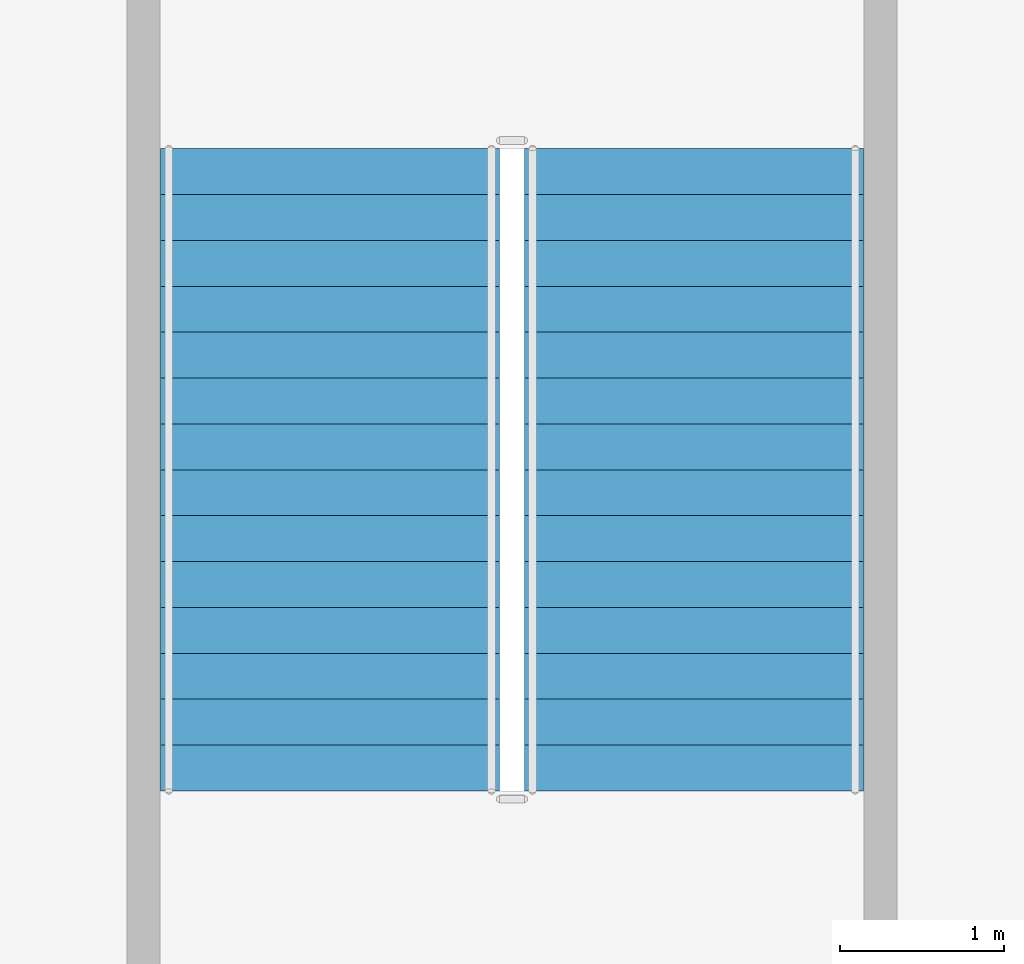
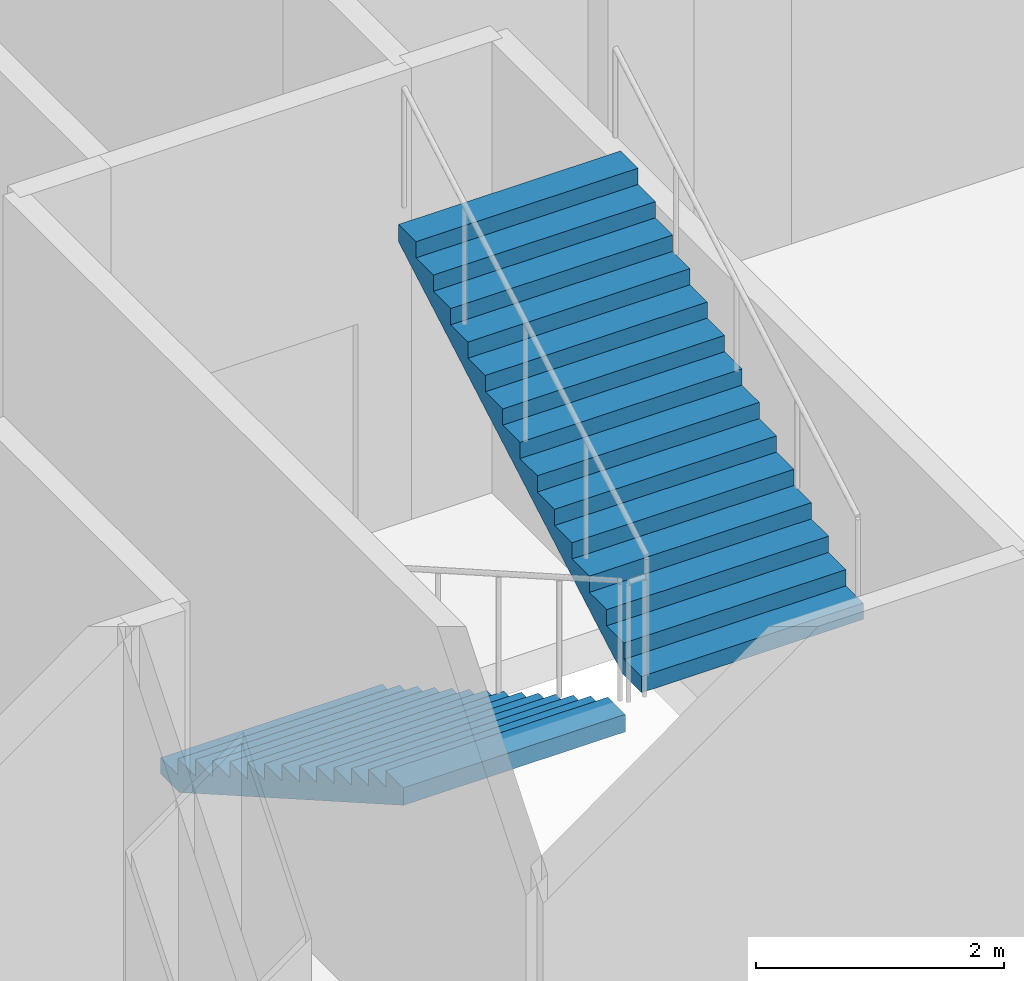
# One storey, part 14 of 23: 2 stair flights, 1 element without a shape of its own.
"""IFC4 building model written with IfcOpenShell, lengths in metres."""

from ifc_helpers import new_model, si_unit, direction, frame, origin, place, context, subcontext, project, spatial, polygons, material, type_object, element, aggregate, save


model = new_model("IFC4")

# Units and contexts
model_context = context("Model", 3, precision=1e-05, world=origin(), true_north=direction((0.0, 1.0)))
body_context = subcontext(model_context, "Body", "Model", "MODEL_VIEW")
ifc_project = project(units=[si_unit("LENGTHUNIT", "METRE"), si_unit("AREAUNIT", "SQUARE_METRE"), si_unit("VOLUMEUNIT", "CUBIC_METRE"), si_unit("PLANEANGLEUNIT", "RADIAN"), si_unit("MASSUNIT", "GRAM", prefix="KILO")], contexts=[model_context])

# Site, building, storey
site_placement = place(None, origin())
site = spatial("IfcSite", under=ifc_project, at=site_placement, CompositionType="ELEMENT")
building_placement = place(site_placement, origin())
building = spatial("IfcBuilding", under=site, at=building_placement, Name="Caravel Reach Hotel and Residences", CompositionType="ELEMENT")
storey_placement = place(building_placement, frame((0.0, 0.0, 24.0)))
storey = spatial("IfcBuildingStorey", under=building, at=storey_placement, Name="L04", CompositionType="ELEMENT", Elevation=24.0)

# Stair, stair flights
ifc_material_1 = material(Name="Concrete C40", Category="concrete")
stair_type = type_object("IfcStairType", Name="Core stair", PredefinedType="HALF_TURN_STAIR", material=ifc_material_1)
stair_placement = place(storey_placement, origin())
stair = element("IfcStair", 1, at=stair_placement, inside=storey, type_object=stair_type, Name="L04 Exit stair P1", PredefinedType="HALF_TURN_STAIR")
ifc_material_2 = material(Name="Concrete C40", Category="concrete")
stair_flight_type = type_object("IfcStairFlightType", Name="Core stair flight", PredefinedType="STRAIGHT", material=ifc_material_2)
stair_flight_1_placement = place(storey_placement, frame((7.889892578125, 41.010009765625, 0.0), z_axis=(0.0, 0.0, 1.0), x_axis=(0.0, -1.0, 0.0)))
stair_flight_1 = element("IfcStairFlight", 2, at=stair_flight_1_placement, type_object=stair_flight_type, Name="ST-P1 flight 1", NumberOfRisers=15, NumberOfTreads=14, PredefinedType="STRAIGHT", RiserHeight=0.16, TreadLength=0.28, context=body_context, shape_type="Tessellation", body=[
    polygons([(0.30213783309663755, 1.0350341796875, 0.0), (0.30213783309663755, 0.6900227864583333, 0.0), (0.30213783309663755, 0.34501139322916663, 0.0), (0.30213783309663755, 0.0, 0.0), (0.30213783309663755, -0.34501139322916674, 0.0), (0.30213783309663755, -0.6900227864583333, 0.0), (0.30213783309663755, -1.0350341796875, 0.0), (3.9210000000000003, 1.0350341796875, 2.0673498096590643), (3.9210000000000003, 0.6900227864583333, 2.0673498096590643), (3.9210000000000003, 0.34501139322916663, 2.0673498096590643), (3.9210000000000003, 0.0, 2.0673498096590643), (3.9210000000000003, -0.34501139322916674, 2.0673498096590643), (3.9210000000000003, -0.6900227864583333, 2.0673498096590643), (3.9210000000000003, -1.0350341796875, 2.0673498096590643), (3.9210000000000003, 1.0350341796875, 2.24), (3.9210000000000003, 0.6900227864583333, 2.24), (3.9210000000000003, 0.34501139322916663, 2.24), (3.9210000000000003, 0.0, 2.24), (3.9210000000000003, -0.34501139322916674, 2.24), (3.9210000000000003, -0.6900227864583333, 2.24), (3.9210000000000003, -1.0350341796875, 2.24), (3.6400000000000006, 1.0350341796875, 2.24), (3.6400000000000006, 0.6900227864583333, 2.24), (3.6400000000000006, 0.34501139322916663, 2.24), (3.6400000000000006, 0.0, 2.24), (3.6400000000000006, -0.34501139322916674, 2.24), (3.6400000000000006, -0.6900227864583333, 2.24), (3.6400000000000006, -1.0350341796875, 2.24), (3.6400000000000006, 1.0350341796875, 2.08), (3.6400000000000006, 0.6900227864583333, 2.08), (3.6400000000000006, 0.34501139322916663, 2.08), (3.6400000000000006, 0.0, 2.08), (3.6400000000000006, -0.34501139322916674, 2.08), (3.6400000000000006, -0.6900227864583333, 2.08), (3.6400000000000006, -1.0350341796875, 2.08), (3.3600000000000003, 1.0350341796875, 2.08), (3.3600000000000003, 0.6900227864583333, 2.08), (3.3600000000000003, 0.34501139322916663, 2.08), (3.3600000000000003, 0.0, 2.08), (3.3600000000000003, -0.34501139322916674, 2.08), (3.3600000000000003, -0.6900227864583333, 2.08), (3.3600000000000003, -1.0350341796875, 2.08), (3.3600000000000003, 1.0350341796875, 1.92), (3.3600000000000003, 0.6900227864583333, 1.92), (3.3600000000000003, 0.34501139322916663, 1.92), (3.3600000000000003, 0.0, 1.92), (3.3600000000000003, -0.34501139322916674, 1.92), (3.3600000000000003, -0.6900227864583333, 1.92), (3.3600000000000003, -1.0350341796875, 1.92), (3.08, 1.0350341796875, 1.92), (3.08, 0.6900227864583333, 1.92), (3.08, 0.34501139322916663, 1.92), (3.08, 0.0, 1.92), (3.08, -0.34501139322916674, 1.92), (3.08, -0.6900227864583333, 1.92), (3.08, -1.0350341796875, 1.92), (3.08, 1.0350341796875, 1.76), (3.08, 0.6900227864583333, 1.76), (3.08, 0.34501139322916663, 1.76), (3.08, 0.0, 1.76), (3.08, -0.34501139322916674, 1.76), (3.08, -0.6900227864583333, 1.76), (3.08, -1.0350341796875, 1.76), (2.8000000000000003, 1.0350341796875, 1.76), (2.8000000000000003, 0.6900227864583333, 1.76), (2.8000000000000003, 0.34501139322916663, 1.76), (2.8000000000000003, 0.0, 1.76), (2.8000000000000003, -0.34501139322916674, 1.76), (2.8000000000000003, -0.6900227864583333, 1.76), (2.8000000000000003, -1.0350341796875, 1.76), (2.8000000000000003, 1.0350341796875, 1.6), (2.8000000000000003, 0.6900227864583333, 1.6), (2.8000000000000003, 0.34501139322916663, 1.6), (2.8000000000000003, 0.0, 1.6), (2.8000000000000003, -0.34501139322916674, 1.6), (2.8000000000000003, -0.6900227864583333, 1.6), (2.8000000000000003, -1.0350341796875, 1.6), (2.5200000000000005, 1.0350341796875, 1.6), (2.5200000000000005, 0.6900227864583333, 1.6), (2.5200000000000005, 0.34501139322916663, 1.6), (2.5200000000000005, 0.0, 1.6), (2.5200000000000005, -0.34501139322916674, 1.6), (2.5200000000000005, -0.6900227864583333, 1.6), (2.5200000000000005, -1.0350341796875, 1.6), (2.5200000000000005, 1.0350341796875, 1.44), (2.5200000000000005, 0.6900227864583333, 1.44), (2.5200000000000005, 0.34501139322916663, 1.44), (2.5200000000000005, 0.0, 1.44), (2.5200000000000005, -0.34501139322916674, 1.44), (2.5200000000000005, -0.6900227864583333, 1.44), (2.5200000000000005, -1.0350341796875, 1.44), (2.24, 1.0350341796875, 1.44), (2.24, 0.6900227864583333, 1.44), (2.24, 0.34501139322916663, 1.44), (2.24, 0.0, 1.44), (2.24, -0.34501139322916674, 1.44), (2.24, -0.6900227864583333, 1.44), (2.24, -1.0350341796875, 1.44), (2.24, 1.0350341796875, 1.28), (2.24, 0.6900227864583333, 1.28), (2.24, 0.34501139322916663, 1.28), (2.24, 0.0, 1.28), (2.24, -0.34501139322916674, 1.28), (2.24, -0.6900227864583333, 1.28), (2.24, -1.0350341796875, 1.28), (1.9600000000000002, 1.0350341796875, 1.28), (1.9600000000000002, 0.6900227864583333, 1.28), (1.9600000000000002, 0.34501139322916663, 1.28), (1.9600000000000002, 0.0, 1.28), (1.9600000000000002, -0.34501139322916674, 1.28), (1.9600000000000002, -0.6900227864583333, 1.28), (1.9600000000000002, -1.0350341796875, 1.28), (1.9600000000000002, 1.0350341796875, 1.12), (1.9600000000000002, 0.6900227864583333, 1.12), (1.9600000000000002, 0.34501139322916663, 1.12), (1.9600000000000002, 0.0, 1.12), (1.9600000000000002, -0.34501139322916674, 1.12), (1.9600000000000002, -0.6900227864583333, 1.12), (1.9600000000000002, -1.0350341796875, 1.12), (1.6800000000000002, 1.0350341796875, 1.12), (1.6800000000000002, 0.6900227864583333, 1.12), (1.6800000000000002, 0.34501139322916663, 1.12), (1.6800000000000002, 0.0, 1.12), (1.6800000000000002, -0.34501139322916674, 1.12), (1.6800000000000002, -0.6900227864583333, 1.12), (1.6800000000000002, -1.0350341796875, 1.12), (1.6800000000000002, 1.0350341796875, 0.96), (1.6800000000000002, 0.6900227864583333, 0.96), (1.6800000000000002, 0.34501139322916663, 0.96), (1.6800000000000002, 0.0, 0.96), (1.6800000000000002, -0.34501139322916674, 0.96), (1.6800000000000002, -0.6900227864583333, 0.96), (1.6800000000000002, -1.0350341796875, 0.96), (1.4000000000000001, 1.0350341796875, 0.96), (1.4000000000000001, 0.6900227864583333, 0.96), (1.4000000000000001, 0.34501139322916663, 0.96), (1.4000000000000001, 0.0, 0.96), (1.4000000000000001, -0.34501139322916674, 0.96), (1.4000000000000001, -0.6900227864583333, 0.96), (1.4000000000000001, -1.0350341796875, 0.96), (1.4000000000000001, 1.0350341796875, 0.8), (1.4000000000000001, 0.6900227864583333, 0.8), (1.4000000000000001, 0.34501139322916663, 0.8), (1.4000000000000001, 0.0, 0.8), (1.4000000000000001, -0.34501139322916674, 0.8), (1.4000000000000001, -0.6900227864583333, 0.8), (1.4000000000000001, -1.0350341796875, 0.8), (1.12, 1.0350341796875, 0.8), (1.12, 0.6900227864583333, 0.8), (1.12, 0.34501139322916663, 0.8), (1.12, 0.0, 0.8), (1.12, -0.34501139322916674, 0.8), (1.12, -0.6900227864583333, 0.8), (1.12, -1.0350341796875, 0.8), (1.12, 1.0350341796875, 0.64), (1.12, 0.6900227864583333, 0.64), (1.12, 0.34501139322916663, 0.64), (1.12, 0.0, 0.64), (1.12, -0.34501139322916674, 0.64), (1.12, -0.6900227864583333, 0.64), (1.12, -1.0350341796875, 0.64), (0.8400000000000001, 1.0350341796875, 0.64), (0.8400000000000001, 0.6900227864583333, 0.64), (0.8400000000000001, 0.34501139322916663, 0.64), (0.8400000000000001, 0.0, 0.64), (0.8400000000000001, -0.34501139322916674, 0.64), (0.8400000000000001, -0.6900227864583333, 0.64), (0.8400000000000001, -1.0350341796875, 0.64), (0.8400000000000001, 1.0350341796875, 0.48), (0.8400000000000001, 0.6900227864583333, 0.48), (0.8400000000000001, 0.34501139322916663, 0.48), (0.8400000000000001, 0.0, 0.48), (0.8400000000000001, -0.34501139322916674, 0.48), (0.8400000000000001, -0.6900227864583333, 0.48), (0.8400000000000001, -1.0350341796875, 0.48), (0.56, 1.0350341796875, 0.48), (0.56, 0.6900227864583333, 0.48), (0.56, 0.34501139322916663, 0.48), (0.56, 0.0, 0.48), (0.56, -0.34501139322916674, 0.48), (0.56, -0.6900227864583333, 0.48), (0.56, -1.0350341796875, 0.48), (0.56, 1.0350341796875, 0.32), (0.56, 0.6900227864583333, 0.32), (0.56, 0.34501139322916663, 0.32), (0.56, 0.0, 0.32), (0.56, -0.34501139322916674, 0.32), (0.56, -0.6900227864583333, 0.32), (0.56, -1.0350341796875, 0.32), (0.28, 1.0350341796875, 0.32), (0.28, 0.6900227864583333, 0.32), (0.28, 0.34501139322916663, 0.32), (0.28, 0.0, 0.32), (0.28, -0.34501139322916674, 0.32), (0.28, -0.6900227864583333, 0.32), (0.28, -1.0350341796875, 0.32), (0.28, 1.0350341796875, 0.16), (0.28, 0.6900227864583333, 0.16), (0.28, 0.34501139322916663, 0.16), (0.28, 0.0, 0.16), (0.28, -0.34501139322916674, 0.16), (0.28, -0.6900227864583333, 0.16), (0.28, -1.0350341796875, 0.16), (-0.001, 1.0350341796875, 0.16), (-0.001, 0.6900227864583333, 0.16), (-0.001, 0.34501139322916663, 0.16), (-0.001, 0.0, 0.16), (-0.001, -0.34501139322916674, 0.16), (-0.001, -0.6900227864583333, 0.16), (-0.001, -1.0350341796875, 0.16), (-0.001, 1.0350341796875, 0.0), (-0.001, 0.6900227864583333, 0.0), (-0.001, 0.34501139322916663, 0.0), (-0.001, 0.0, 0.0), (-0.001, -0.34501139322916674, 0.0), (-0.001, -0.6900227864583333, 0.0), (-0.001, -1.0350341796875, 0.0)], [[[211, 204, 197, 190, 183, 176, 169, 162, 155, 148, 141, 134, 127, 120, 113, 106, 99, 92, 85, 78, 71, 64, 57, 50, 43, 36, 29, 22, 15, 8, 1]], [[7, 14, 21, 28, 35, 42, 49, 56, 63, 70, 77, 84, 91, 98, 105, 112, 119, 126, 133, 140, 147, 154, 161, 168, 175, 182, 189, 196, 203, 210, 217]], [[1, 8, 9, 2]], [[2, 9, 10, 3]], [[3, 10, 11, 4]], [[4, 11, 12, 5]], [[5, 12, 13, 6]], [[6, 13, 14, 7]], [[8, 15, 16, 9]], [[9, 16, 17, 10]], [[10, 17, 18, 11]], [[11, 18, 19, 12]], [[12, 19, 20, 13]], [[13, 20, 21, 14]], [[15, 22, 23, 16]], [[16, 23, 24, 17]], [[17, 24, 25, 18]], [[18, 25, 26, 19]], [[19, 26, 27, 20]], [[20, 27, 28, 21]], [[22, 29, 30, 23]], [[23, 30, 31, 24]], [[24, 31, 32, 25]], [[25, 32, 33, 26]], [[26, 33, 34, 27]], [[27, 34, 35, 28]], [[29, 36, 37, 30]], [[30, 37, 38, 31]], [[31, 38, 39, 32]], [[32, 39, 40, 33]], [[33, 40, 41, 34]], [[34, 41, 42, 35]], [[36, 43, 44, 37]], [[37, 44, 45, 38]], [[38, 45, 46, 39]], [[39, 46, 47, 40]], [[40, 47, 48, 41]], [[41, 48, 49, 42]], [[43, 50, 51, 44]], [[44, 51, 52, 45]], [[45, 52, 53, 46]], [[46, 53, 54, 47]], [[47, 54, 55, 48]], [[48, 55, 56, 49]], [[50, 57, 58, 51]], [[51, 58, 59, 52]], [[52, 59, 60, 53]], [[53, 60, 61, 54]], [[54, 61, 62, 55]], [[55, 62, 63, 56]], [[57, 64, 65, 58]], [[58, 65, 66, 59]], [[59, 66, 67, 60]], [[60, 67, 68, 61]], [[61, 68, 69, 62]], [[62, 69, 70, 63]], [[64, 71, 72, 65]], [[65, 72, 73, 66]], [[66, 73, 74, 67]], [[67, 74, 75, 68]], [[68, 75, 76, 69]], [[69, 76, 77, 70]], [[71, 78, 79, 72]], [[72, 79, 80, 73]], [[73, 80, 81, 74]], [[74, 81, 82, 75]], [[75, 82, 83, 76]], [[76, 83, 84, 77]], [[78, 85, 86, 79]], [[79, 86, 87, 80]], [[80, 87, 88, 81]], [[81, 88, 89, 82]], [[82, 89, 90, 83]], [[83, 90, 91, 84]], [[85, 92, 93, 86]], [[86, 93, 94, 87]], [[87, 94, 95, 88]], [[88, 95, 96, 89]], [[89, 96, 97, 90]], [[90, 97, 98, 91]], [[92, 99, 100, 93]], [[93, 100, 101, 94]], [[94, 101, 102, 95]], [[95, 102, 103, 96]], [[96, 103, 104, 97]], [[97, 104, 105, 98]], [[99, 106, 107, 100]], [[100, 107, 108, 101]], [[101, 108, 109, 102]], [[102, 109, 110, 103]], [[103, 110, 111, 104]], [[104, 111, 112, 105]], [[106, 113, 114, 107]], [[107, 114, 115, 108]], [[108, 115, 116, 109]], [[109, 116, 117, 110]], [[110, 117, 118, 111]], [[111, 118, 119, 112]], [[113, 120, 121, 114]], [[114, 121, 122, 115]], [[115, 122, 123, 116]], [[116, 123, 124, 117]], [[117, 124, 125, 118]], [[118, 125, 126, 119]], [[120, 127, 128, 121]], [[121, 128, 129, 122]], [[122, 129, 130, 123]], [[123, 130, 131, 124]], [[124, 131, 132, 125]], [[125, 132, 133, 126]], [[127, 134, 135, 128]], [[128, 135, 136, 129]], [[129, 136, 137, 130]], [[130, 137, 138, 131]], [[131, 138, 139, 132]], [[132, 139, 140, 133]], [[134, 141, 142, 135]], [[135, 142, 143, 136]], [[136, 143, 144, 137]], [[137, 144, 145, 138]], [[138, 145, 146, 139]], [[139, 146, 147, 140]], [[141, 148, 149, 142]], [[142, 149, 150, 143]], [[143, 150, 151, 144]], [[144, 151, 152, 145]], [[145, 152, 153, 146]], [[146, 153, 154, 147]], [[148, 155, 156, 149]], [[149, 156, 157, 150]], [[150, 157, 158, 151]], [[151, 158, 159, 152]], [[152, 159, 160, 153]], [[153, 160, 161, 154]], [[155, 162, 163, 156]], [[156, 163, 164, 157]], [[157, 164, 165, 158]], [[158, 165, 166, 159]], [[159, 166, 167, 160]], [[160, 167, 168, 161]], [[162, 169, 170, 163]], [[163, 170, 171, 164]], [[164, 171, 172, 165]], [[165, 172, 173, 166]], [[166, 173, 174, 167]], [[167, 174, 175, 168]], [[169, 176, 177, 170]], [[170, 177, 178, 171]], [[171, 178, 179, 172]], [[172, 179, 180, 173]], [[173, 180, 181, 174]], [[174, 181, 182, 175]], [[176, 183, 184, 177]], [[177, 184, 185, 178]], [[178, 185, 186, 179]], [[179, 186, 187, 180]], [[180, 187, 188, 181]], [[181, 188, 189, 182]], [[183, 190, 191, 184]], [[184, 191, 192, 185]], [[185, 192, 193, 186]], [[186, 193, 194, 187]], [[187, 194, 195, 188]], [[188, 195, 196, 189]], [[190, 197, 198, 191]], [[191, 198, 199, 192]], [[192, 199, 200, 193]], [[193, 200, 201, 194]], [[194, 201, 202, 195]], [[195, 202, 203, 196]], [[197, 204, 205, 198]], [[198, 205, 206, 199]], [[199, 206, 207, 200]], [[200, 207, 208, 201]], [[201, 208, 209, 202]], [[202, 209, 210, 203]], [[204, 211, 212, 205]], [[205, 212, 213, 206]], [[206, 213, 214, 207]], [[207, 214, 215, 208]], [[208, 215, 216, 209]], [[209, 216, 217, 210]], [[211, 1, 2, 212]], [[212, 2, 3, 213]], [[213, 3, 4, 214]], [[214, 4, 5, 215]], [[215, 5, 6, 216]], [[216, 6, 7, 217]]], closed=True),
])
stair_flight_2_placement = place(storey_placement, frame((10.110107421875, 37.090087890625, 2.39990234375), z_axis=(0.0, 0.0, 1.0), x_axis=(0.0, 1.0, 0.0)))
stair_flight_2 = element("IfcStairFlight", 3, at=stair_flight_2_placement, type_object=stair_flight_type, Name="ST-P1 flight 2", NumberOfRisers=15, NumberOfTreads=14, PredefinedType="STRAIGHT", RiserHeight=0.16, TreadLength=0.28, context=body_context, shape_type="Tessellation", body=[
    polygons([(0.30213783309663755, 1.0350341796875, 0.0), (0.30213783309663755, 0.6900227864583333, 0.0), (0.30213783309663755, 0.34501139322916663, 0.0), (0.30213783309663755, 0.0, 0.0), (0.30213783309663755, -0.34501139322916674, 0.0), (0.30213783309663755, -0.6900227864583333, 0.0), (0.30213783309663755, -1.0350341796875, 0.0), (3.9210000000000003, 1.0350341796875, 2.0673498096590643), (3.9210000000000003, 0.6900227864583333, 2.0673498096590643), (3.9210000000000003, 0.34501139322916663, 2.0673498096590643), (3.9210000000000003, 0.0, 2.0673498096590643), (3.9210000000000003, -0.34501139322916674, 2.0673498096590643), (3.9210000000000003, -0.6900227864583333, 2.0673498096590643), (3.9210000000000003, -1.0350341796875, 2.0673498096590643), (3.9210000000000003, 1.0350341796875, 2.24), (3.9210000000000003, 0.6900227864583333, 2.24), (3.9210000000000003, 0.34501139322916663, 2.24), (3.9210000000000003, 0.0, 2.24), (3.9210000000000003, -0.34501139322916674, 2.24), (3.9210000000000003, -0.6900227864583333, 2.24), (3.9210000000000003, -1.0350341796875, 2.24), (3.6400000000000006, 1.0350341796875, 2.24), (3.6400000000000006, 0.6900227864583333, 2.24), (3.6400000000000006, 0.34501139322916663, 2.24), (3.6400000000000006, 0.0, 2.24), (3.6400000000000006, -0.34501139322916674, 2.24), (3.6400000000000006, -0.6900227864583333, 2.24), (3.6400000000000006, -1.0350341796875, 2.24), (3.6400000000000006, 1.0350341796875, 2.08), (3.6400000000000006, 0.6900227864583333, 2.08), (3.6400000000000006, 0.34501139322916663, 2.08), (3.6400000000000006, 0.0, 2.08), (3.6400000000000006, -0.34501139322916674, 2.08), (3.6400000000000006, -0.6900227864583333, 2.08), (3.6400000000000006, -1.0350341796875, 2.08), (3.3600000000000003, 1.0350341796875, 2.08), (3.3600000000000003, 0.6900227864583333, 2.08), (3.3600000000000003, 0.34501139322916663, 2.08), (3.3600000000000003, 0.0, 2.08), (3.3600000000000003, -0.34501139322916674, 2.08), (3.3600000000000003, -0.6900227864583333, 2.08), (3.3600000000000003, -1.0350341796875, 2.08), (3.3600000000000003, 1.0350341796875, 1.92), (3.3600000000000003, 0.6900227864583333, 1.92), (3.3600000000000003, 0.34501139322916663, 1.92), (3.3600000000000003, 0.0, 1.92), (3.3600000000000003, -0.34501139322916674, 1.92), (3.3600000000000003, -0.6900227864583333, 1.92), (3.3600000000000003, -1.0350341796875, 1.92), (3.08, 1.0350341796875, 1.92), (3.08, 0.6900227864583333, 1.92), (3.08, 0.34501139322916663, 1.92), (3.08, 0.0, 1.92), (3.08, -0.34501139322916674, 1.92), (3.08, -0.6900227864583333, 1.92), (3.08, -1.0350341796875, 1.92), (3.08, 1.0350341796875, 1.76), (3.08, 0.6900227864583333, 1.76), (3.08, 0.34501139322916663, 1.76), (3.08, 0.0, 1.76), (3.08, -0.34501139322916674, 1.76), (3.08, -0.6900227864583333, 1.76), (3.08, -1.0350341796875, 1.76), (2.8000000000000003, 1.0350341796875, 1.76), (2.8000000000000003, 0.6900227864583333, 1.76), (2.8000000000000003, 0.34501139322916663, 1.76), (2.8000000000000003, 0.0, 1.76), (2.8000000000000003, -0.34501139322916674, 1.76), (2.8000000000000003, -0.6900227864583333, 1.76), (2.8000000000000003, -1.0350341796875, 1.76), (2.8000000000000003, 1.0350341796875, 1.6), (2.8000000000000003, 0.6900227864583333, 1.6), (2.8000000000000003, 0.34501139322916663, 1.6), (2.8000000000000003, 0.0, 1.6), (2.8000000000000003, -0.34501139322916674, 1.6), (2.8000000000000003, -0.6900227864583333, 1.6), (2.8000000000000003, -1.0350341796875, 1.6), (2.5200000000000005, 1.0350341796875, 1.6), (2.5200000000000005, 0.6900227864583333, 1.6), (2.5200000000000005, 0.34501139322916663, 1.6), (2.5200000000000005, 0.0, 1.6), (2.5200000000000005, -0.34501139322916674, 1.6), (2.5200000000000005, -0.6900227864583333, 1.6), (2.5200000000000005, -1.0350341796875, 1.6), (2.5200000000000005, 1.0350341796875, 1.44), (2.5200000000000005, 0.6900227864583333, 1.44), (2.5200000000000005, 0.34501139322916663, 1.44), (2.5200000000000005, 0.0, 1.44), (2.5200000000000005, -0.34501139322916674, 1.44), (2.5200000000000005, -0.6900227864583333, 1.44), (2.5200000000000005, -1.0350341796875, 1.44), (2.24, 1.0350341796875, 1.44), (2.24, 0.6900227864583333, 1.44), (2.24, 0.34501139322916663, 1.44), (2.24, 0.0, 1.44), (2.24, -0.34501139322916674, 1.44), (2.24, -0.6900227864583333, 1.44), (2.24, -1.0350341796875, 1.44), (2.24, 1.0350341796875, 1.28), (2.24, 0.6900227864583333, 1.28), (2.24, 0.34501139322916663, 1.28), (2.24, 0.0, 1.28), (2.24, -0.34501139322916674, 1.28), (2.24, -0.6900227864583333, 1.28), (2.24, -1.0350341796875, 1.28), (1.9600000000000002, 1.0350341796875, 1.28), (1.9600000000000002, 0.6900227864583333, 1.28), (1.9600000000000002, 0.34501139322916663, 1.28), (1.9600000000000002, 0.0, 1.28), (1.9600000000000002, -0.34501139322916674, 1.28), (1.9600000000000002, -0.6900227864583333, 1.28), (1.9600000000000002, -1.0350341796875, 1.28), (1.9600000000000002, 1.0350341796875, 1.12), (1.9600000000000002, 0.6900227864583333, 1.12), (1.9600000000000002, 0.34501139322916663, 1.12), (1.9600000000000002, 0.0, 1.12), (1.9600000000000002, -0.34501139322916674, 1.12), (1.9600000000000002, -0.6900227864583333, 1.12), (1.9600000000000002, -1.0350341796875, 1.12), (1.6800000000000002, 1.0350341796875, 1.12), (1.6800000000000002, 0.6900227864583333, 1.12), (1.6800000000000002, 0.34501139322916663, 1.12), (1.6800000000000002, 0.0, 1.12), (1.6800000000000002, -0.34501139322916674, 1.12), (1.6800000000000002, -0.6900227864583333, 1.12), (1.6800000000000002, -1.0350341796875, 1.12), (1.6800000000000002, 1.0350341796875, 0.96), (1.6800000000000002, 0.6900227864583333, 0.96), (1.6800000000000002, 0.34501139322916663, 0.96), (1.6800000000000002, 0.0, 0.96), (1.6800000000000002, -0.34501139322916674, 0.96), (1.6800000000000002, -0.6900227864583333, 0.96), (1.6800000000000002, -1.0350341796875, 0.96), (1.4000000000000001, 1.0350341796875, 0.96), (1.4000000000000001, 0.6900227864583333, 0.96), (1.4000000000000001, 0.34501139322916663, 0.96), (1.4000000000000001, 0.0, 0.96), (1.4000000000000001, -0.34501139322916674, 0.96), (1.4000000000000001, -0.6900227864583333, 0.96), (1.4000000000000001, -1.0350341796875, 0.96), (1.4000000000000001, 1.0350341796875, 0.8), (1.4000000000000001, 0.6900227864583333, 0.8), (1.4000000000000001, 0.34501139322916663, 0.8), (1.4000000000000001, 0.0, 0.8), (1.4000000000000001, -0.34501139322916674, 0.8), (1.4000000000000001, -0.6900227864583333, 0.8), (1.4000000000000001, -1.0350341796875, 0.8), (1.12, 1.0350341796875, 0.8), (1.12, 0.6900227864583333, 0.8), (1.12, 0.34501139322916663, 0.8), (1.12, 0.0, 0.8), (1.12, -0.34501139322916674, 0.8), (1.12, -0.6900227864583333, 0.8), (1.12, -1.0350341796875, 0.8), (1.12, 1.0350341796875, 0.64), (1.12, 0.6900227864583333, 0.64), (1.12, 0.34501139322916663, 0.64), (1.12, 0.0, 0.64), (1.12, -0.34501139322916674, 0.64), (1.12, -0.6900227864583333, 0.64), (1.12, -1.0350341796875, 0.64), (0.8400000000000001, 1.0350341796875, 0.64), (0.8400000000000001, 0.6900227864583333, 0.64), (0.8400000000000001, 0.34501139322916663, 0.64), (0.8400000000000001, 0.0, 0.64), (0.8400000000000001, -0.34501139322916674, 0.64), (0.8400000000000001, -0.6900227864583333, 0.64), (0.8400000000000001, -1.0350341796875, 0.64), (0.8400000000000001, 1.0350341796875, 0.48), (0.8400000000000001, 0.6900227864583333, 0.48), (0.8400000000000001, 0.34501139322916663, 0.48), (0.8400000000000001, 0.0, 0.48), (0.8400000000000001, -0.34501139322916674, 0.48), (0.8400000000000001, -0.6900227864583333, 0.48), (0.8400000000000001, -1.0350341796875, 0.48), (0.56, 1.0350341796875, 0.48), (0.56, 0.6900227864583333, 0.48), (0.56, 0.34501139322916663, 0.48), (0.56, 0.0, 0.48), (0.56, -0.34501139322916674, 0.48), (0.56, -0.6900227864583333, 0.48), (0.56, -1.0350341796875, 0.48), (0.56, 1.0350341796875, 0.32), (0.56, 0.6900227864583333, 0.32), (0.56, 0.34501139322916663, 0.32), (0.56, 0.0, 0.32), (0.56, -0.34501139322916674, 0.32), (0.56, -0.6900227864583333, 0.32), (0.56, -1.0350341796875, 0.32), (0.28, 1.0350341796875, 0.32), (0.28, 0.6900227864583333, 0.32), (0.28, 0.34501139322916663, 0.32), (0.28, 0.0, 0.32), (0.28, -0.34501139322916674, 0.32), (0.28, -0.6900227864583333, 0.32), (0.28, -1.0350341796875, 0.32), (0.28, 1.0350341796875, 0.16), (0.28, 0.6900227864583333, 0.16), (0.28, 0.34501139322916663, 0.16), (0.28, 0.0, 0.16), (0.28, -0.34501139322916674, 0.16), (0.28, -0.6900227864583333, 0.16), (0.28, -1.0350341796875, 0.16), (-0.001, 1.0350341796875, 0.16), (-0.001, 0.6900227864583333, 0.16), (-0.001, 0.34501139322916663, 0.16), (-0.001, 0.0, 0.16), (-0.001, -0.34501139322916674, 0.16), (-0.001, -0.6900227864583333, 0.16), (-0.001, -1.0350341796875, 0.16), (-0.001, 1.0350341796875, 0.0), (-0.001, 0.6900227864583333, 0.0), (-0.001, 0.34501139322916663, 0.0), (-0.001, 0.0, 0.0), (-0.001, -0.34501139322916674, 0.0), (-0.001, -0.6900227864583333, 0.0), (-0.001, -1.0350341796875, 0.0)], [[[211, 204, 197, 190, 183, 176, 169, 162, 155, 148, 141, 134, 127, 120, 113, 106, 99, 92, 85, 78, 71, 64, 57, 50, 43, 36, 29, 22, 15, 8, 1]], [[7, 14, 21, 28, 35, 42, 49, 56, 63, 70, 77, 84, 91, 98, 105, 112, 119, 126, 133, 140, 147, 154, 161, 168, 175, 182, 189, 196, 203, 210, 217]], [[1, 8, 9, 2]], [[2, 9, 10, 3]], [[3, 10, 11, 4]], [[4, 11, 12, 5]], [[5, 12, 13, 6]], [[6, 13, 14, 7]], [[8, 15, 16, 9]], [[9, 16, 17, 10]], [[10, 17, 18, 11]], [[11, 18, 19, 12]], [[12, 19, 20, 13]], [[13, 20, 21, 14]], [[15, 22, 23, 16]], [[16, 23, 24, 17]], [[17, 24, 25, 18]], [[18, 25, 26, 19]], [[19, 26, 27, 20]], [[20, 27, 28, 21]], [[22, 29, 30, 23]], [[23, 30, 31, 24]], [[24, 31, 32, 25]], [[25, 32, 33, 26]], [[26, 33, 34, 27]], [[27, 34, 35, 28]], [[29, 36, 37, 30]], [[30, 37, 38, 31]], [[31, 38, 39, 32]], [[32, 39, 40, 33]], [[33, 40, 41, 34]], [[34, 41, 42, 35]], [[36, 43, 44, 37]], [[37, 44, 45, 38]], [[38, 45, 46, 39]], [[39, 46, 47, 40]], [[40, 47, 48, 41]], [[41, 48, 49, 42]], [[43, 50, 51, 44]], [[44, 51, 52, 45]], [[45, 52, 53, 46]], [[46, 53, 54, 47]], [[47, 54, 55, 48]], [[48, 55, 56, 49]], [[50, 57, 58, 51]], [[51, 58, 59, 52]], [[52, 59, 60, 53]], [[53, 60, 61, 54]], [[54, 61, 62, 55]], [[55, 62, 63, 56]], [[57, 64, 65, 58]], [[58, 65, 66, 59]], [[59, 66, 67, 60]], [[60, 67, 68, 61]], [[61, 68, 69, 62]], [[62, 69, 70, 63]], [[64, 71, 72, 65]], [[65, 72, 73, 66]], [[66, 73, 74, 67]], [[67, 74, 75, 68]], [[68, 75, 76, 69]], [[69, 76, 77, 70]], [[71, 78, 79, 72]], [[72, 79, 80, 73]], [[73, 80, 81, 74]], [[74, 81, 82, 75]], [[75, 82, 83, 76]], [[76, 83, 84, 77]], [[78, 85, 86, 79]], [[79, 86, 87, 80]], [[80, 87, 88, 81]], [[81, 88, 89, 82]], [[82, 89, 90, 83]], [[83, 90, 91, 84]], [[85, 92, 93, 86]], [[86, 93, 94, 87]], [[87, 94, 95, 88]], [[88, 95, 96, 89]], [[89, 96, 97, 90]], [[90, 97, 98, 91]], [[92, 99, 100, 93]], [[93, 100, 101, 94]], [[94, 101, 102, 95]], [[95, 102, 103, 96]], [[96, 103, 104, 97]], [[97, 104, 105, 98]], [[99, 106, 107, 100]], [[100, 107, 108, 101]], [[101, 108, 109, 102]], [[102, 109, 110, 103]], [[103, 110, 111, 104]], [[104, 111, 112, 105]], [[106, 113, 114, 107]], [[107, 114, 115, 108]], [[108, 115, 116, 109]], [[109, 116, 117, 110]], [[110, 117, 118, 111]], [[111, 118, 119, 112]], [[113, 120, 121, 114]], [[114, 121, 122, 115]], [[115, 122, 123, 116]], [[116, 123, 124, 117]], [[117, 124, 125, 118]], [[118, 125, 126, 119]], [[120, 127, 128, 121]], [[121, 128, 129, 122]], [[122, 129, 130, 123]], [[123, 130, 131, 124]], [[124, 131, 132, 125]], [[125, 132, 133, 126]], [[127, 134, 135, 128]], [[128, 135, 136, 129]], [[129, 136, 137, 130]], [[130, 137, 138, 131]], [[131, 138, 139, 132]], [[132, 139, 140, 133]], [[134, 141, 142, 135]], [[135, 142, 143, 136]], [[136, 143, 144, 137]], [[137, 144, 145, 138]], [[138, 145, 146, 139]], [[139, 146, 147, 140]], [[141, 148, 149, 142]], [[142, 149, 150, 143]], [[143, 150, 151, 144]], [[144, 151, 152, 145]], [[145, 152, 153, 146]], [[146, 153, 154, 147]], [[148, 155, 156, 149]], [[149, 156, 157, 150]], [[150, 157, 158, 151]], [[151, 158, 159, 152]], [[152, 159, 160, 153]], [[153, 160, 161, 154]], [[155, 162, 163, 156]], [[156, 163, 164, 157]], [[157, 164, 165, 158]], [[158, 165, 166, 159]], [[159, 166, 167, 160]], [[160, 167, 168, 161]], [[162, 169, 170, 163]], [[163, 170, 171, 164]], [[164, 171, 172, 165]], [[165, 172, 173, 166]], [[166, 173, 174, 167]], [[167, 174, 175, 168]], [[169, 176, 177, 170]], [[170, 177, 178, 171]], [[171, 178, 179, 172]], [[172, 179, 180, 173]], [[173, 180, 181, 174]], [[174, 181, 182, 175]], [[176, 183, 184, 177]], [[177, 184, 185, 178]], [[178, 185, 186, 179]], [[179, 186, 187, 180]], [[180, 187, 188, 181]], [[181, 188, 189, 182]], [[183, 190, 191, 184]], [[184, 191, 192, 185]], [[185, 192, 193, 186]], [[186, 193, 194, 187]], [[187, 194, 195, 188]], [[188, 195, 196, 189]], [[190, 197, 198, 191]], [[191, 198, 199, 192]], [[192, 199, 200, 193]], [[193, 200, 201, 194]], [[194, 201, 202, 195]], [[195, 202, 203, 196]], [[197, 204, 205, 198]], [[198, 205, 206, 199]], [[199, 206, 207, 200]], [[200, 207, 208, 201]], [[201, 208, 209, 202]], [[202, 209, 210, 203]], [[204, 211, 212, 205]], [[205, 212, 213, 206]], [[206, 213, 214, 207]], [[207, 214, 215, 208]], [[208, 215, 216, 209]], [[209, 216, 217, 210]], [[211, 1, 2, 212]], [[212, 2, 3, 213]], [[213, 3, 4, 214]], [[214, 4, 5, 215]], [[215, 5, 6, 216]], [[216, 6, 7, 217]]], closed=True),
])
aggregate(stair, [stair_flight_1, stair_flight_2])

save(model, "model.ifc")
